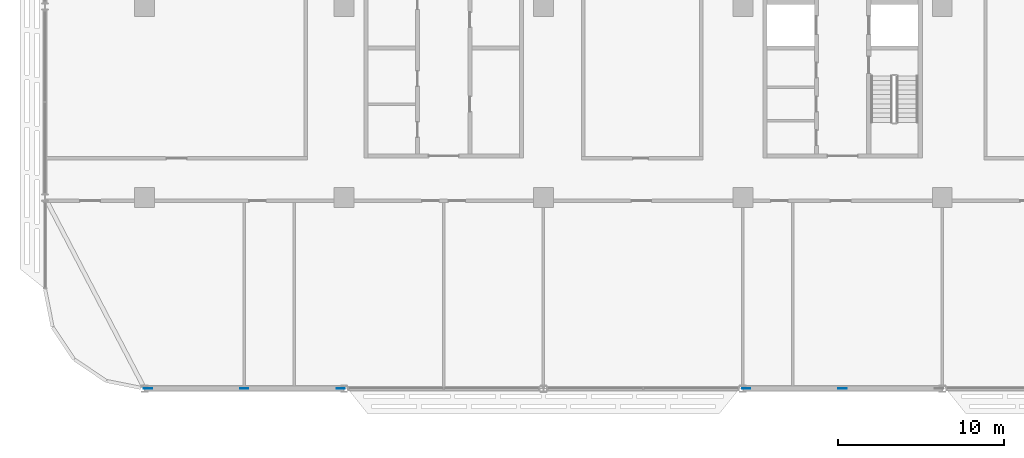
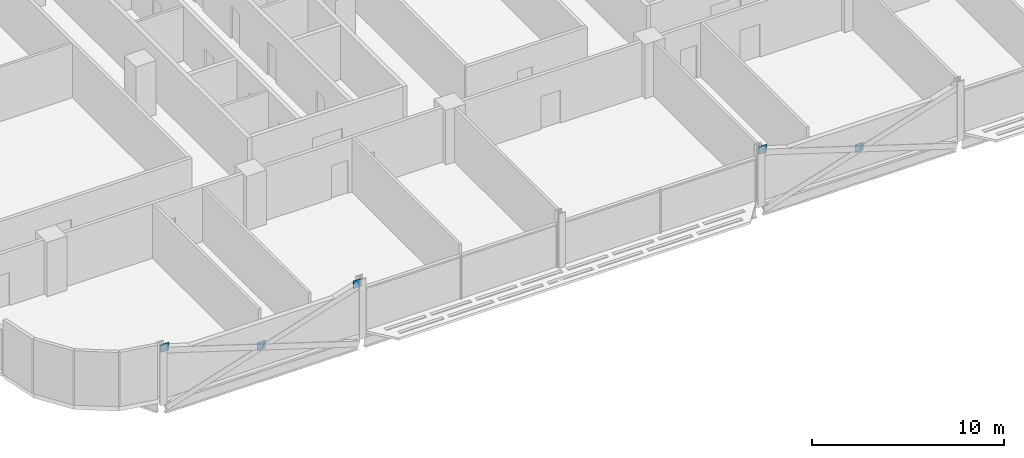
# One storey, part 17 of 27: 5 discrete accessories.
"""IFC4 building model written with IfcOpenShell, lengths in metres."""

from ifc_helpers import new_model, si_unit, direction, frame, origin, origin_2d, place, context, subcontext, project, spatial, rectangle, extrude, material, layer, layer_set, type_object, element, save


model = new_model("IFC4")

# Units and contexts
model_context = context("Model", 3, precision=1e-05, world=origin(), true_north=direction((0.0, 1.0)))
body_context = subcontext(model_context, "Body", "Model", "MODEL_VIEW")
ifc_project = project(units=[si_unit("LENGTHUNIT", "METRE"), si_unit("AREAUNIT", "SQUARE_METRE"), si_unit("VOLUMEUNIT", "CUBIC_METRE"), si_unit("PLANEANGLEUNIT", "RADIAN"), si_unit("MASSUNIT", "GRAM", prefix="KILO")], contexts=[model_context])

# Site, building, storey
site_placement = place(None, origin())
site = spatial("IfcSite", under=ifc_project, at=site_placement, CompositionType="ELEMENT")
building_placement = place(site_placement, origin())
building = spatial("IfcBuilding", under=site, at=building_placement, Name="Mahtab Terrace Research Tower", CompositionType="ELEMENT")
storey_placement = place(building_placement, frame((0.0, 0.0, 166.800048828125)))
storey = spatial("IfcBuildingStorey", under=building, at=storey_placement, Name="L39", CompositionType="ELEMENT", Elevation=166.800048828125)

# Discrete accessories
ifc_material = material(Name="Steel ASTM A992 Gr 50", Category="steel")
ifc_layer = layer(ifc_material, 0.030029296875)
ifc_layer_set = layer_set([ifc_layer], Name="Gusset plate 500x500x30")
discrete_accessory_type = type_object("IfcDiscreteAccessoryType", Name="Gusset plate 500x500x30", PredefinedType="USERDEFINED", material=ifc_layer_set)
for number, where, z_axis, x_axis, name in (
    (1, (-41.796875, -23.0, 2.870849609375), (0.0, 0.0, 1.0), (1.0, 0.0, 0.0), "Gusset plate"),
    (2, (-36.0, -23.0, 0.970947265625), (0.0, 0.0, 1.0), (1.0, 0.0, 0.0), "Gusset plate"),
    (3, (-30.203125, -23.0, 2.870849609375), (0.0, 0.0, 1.0), (1.0, 0.0, 0.0), "Gusset plate"),
    (4, (-5.796875, -23.0, 2.870849609375), (0.0, 0.0, 1.0), (1.0, 0.0, 0.0), "Gusset plate"),
    (5, (0.0, -23.0, 0.970947265625), (0.0, 0.0, 1.0), (1.0, 0.0, 0.0), "Gusset plate"),
):
    element("IfcDiscreteAccessory", number, at=place(storey_placement, frame(where, z_axis=z_axis, x_axis=x_axis)), inside=storey, type_object=discrete_accessory_type, Name=name, ObjectType="GUSSET PLATE", PredefinedType="USERDEFINED", context=body_context, shape_type="SweptSolid", body=[
        extrude(rectangle(XDim=0.5, YDim=0.030029296875, at=origin_2d()), origin(), (0.0, 0.0, 1.0), 0.5),
    ])

save(model, "model.ifc")
